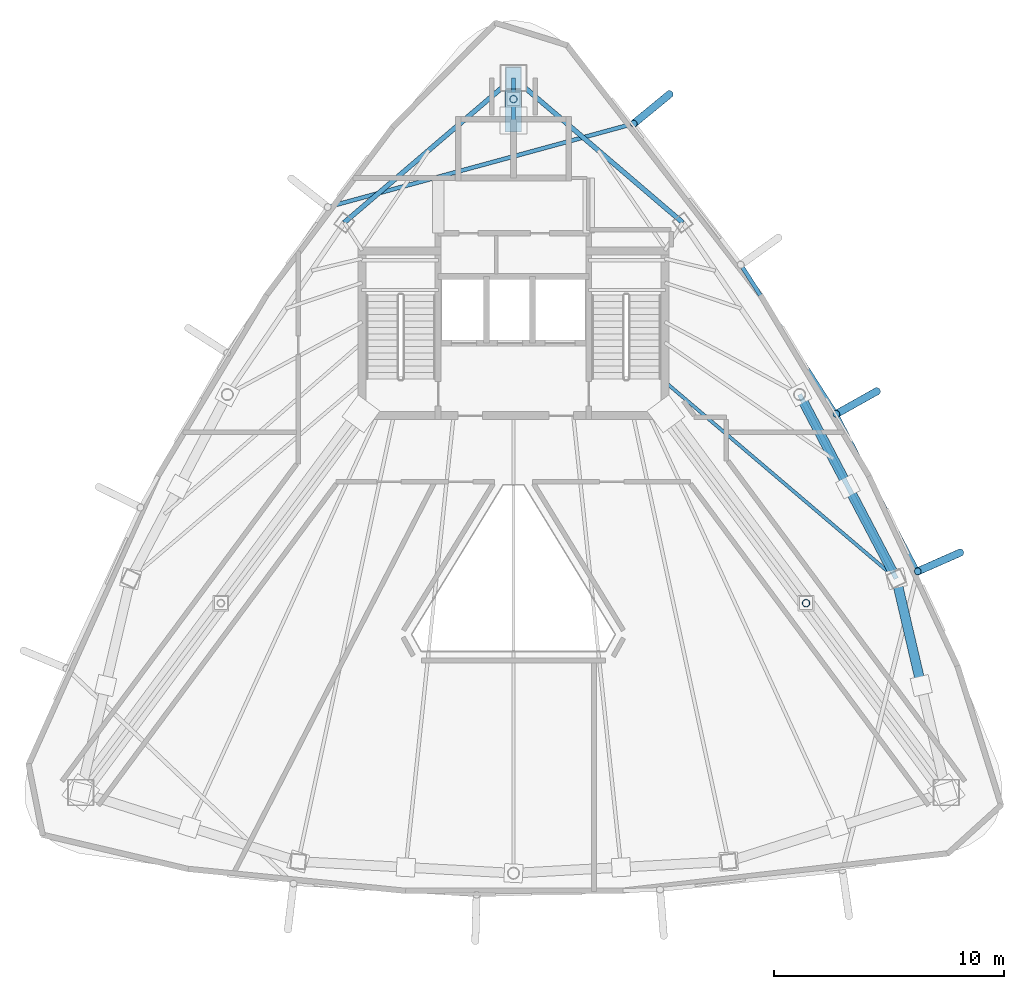
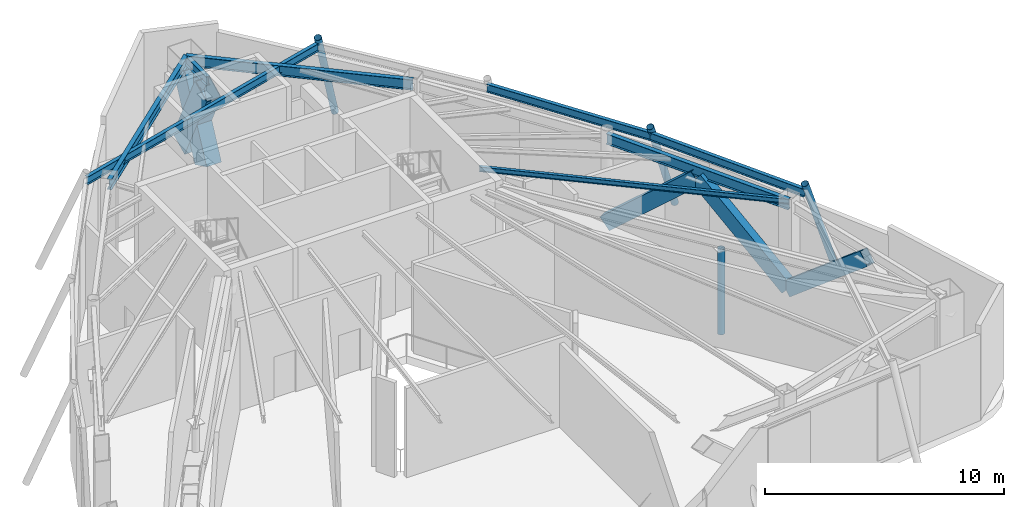
# One storey, part 4 of 9: 10 members, 8 beams.
"""IFC4 building model written with IfcOpenShell, lengths in metres."""

from ifc_helpers import new_model, si_unit, direction, frame, origin, origin_2d, place, context, subcontext, project, spatial, hollow_rectangle, hollow_circle, i_section, extrude, material, material_profile, profile_set, type_object, element, save


model = new_model("IFC4")

# Units and contexts
model_context = context("Model", 3, precision=1e-05, world=origin(), true_north=direction((0.0, 1.0)))
body_context = subcontext(model_context, "Body", "Model", "MODEL_VIEW")
ifc_project = project(units=[si_unit("LENGTHUNIT", "METRE"), si_unit("AREAUNIT", "SQUARE_METRE"), si_unit("VOLUMEUNIT", "CUBIC_METRE"), si_unit("PLANEANGLEUNIT", "RADIAN"), si_unit("MASSUNIT", "GRAM", prefix="KILO")], contexts=[model_context])

# Site, building, storey
site_placement = place(None, origin())
site = spatial("IfcSite", under=ifc_project, at=site_placement, CompositionType="ELEMENT")
building_placement = place(site_placement, origin())
building = spatial("IfcBuilding", under=site, at=building_placement, Name="Orvanel Arch Residences", CompositionType="ELEMENT")
storey_placement = place(building_placement, frame((0.0, 0.0, 281.0)))
storey = spatial("IfcBuildingStorey", under=building, at=storey_placement, Name="L80", CompositionType="ELEMENT", Elevation=281.0)

# Beams
ifc_material_1 = material(Name="Structural steel AS/NZS 3679.1 Grade 300 (300 MPa)", Category="steel")
ifc_material_profile_1 = material_profile(ifc_material_1, i_section(OverallWidth=0.19091796875, OverallDepth=0.4599609375, WebThickness=0.010009765625, FlangeThickness=0.01611328125, at=origin_2d()), Name="460UB82.1")
ifc_profile_set_1 = profile_set([ifc_material_profile_1], Name="Structural steel AS/NZS 3679.1 Grade 300 (300 MPa)")
beam_type_1 = type_object("IfcBeamType", Name="BG-460UB", PredefinedType="BEAM", material=ifc_profile_set_1)
beam_1_placement = place(storey_placement, frame((33.0, 39.550048828125, 4.6201171875), z_axis=(0.0, 1.0, 0.0), x_axis=(-1.0, 0.0, 0.0)))
element("IfcBeam", 1, at=beam_1_placement, inside=storey, type_object=beam_type_1, Name="L80 North Radial Girder", PredefinedType="BEAM", context=body_context, shape_type="SweptSolid", body=[
    extrude(i_section(OverallWidth=0.19091796875, OverallDepth=0.4599609375, WebThickness=0.010009765625, FlangeThickness=0.01611328125, at=origin_2d()), origin(), (0.0, 0.0, 1.0), 1.847900390625),
])
ifc_material_profile_2 = material_profile(ifc_material_1, i_section(OverallWidth=0.14599609375, OverallDepth=0.251953125, WebThickness=0.006103515625, FlangeThickness=0.008544921875, at=origin_2d()), Name="250UB31.4")
ifc_profile_set_2 = profile_set([ifc_material_profile_2], Name="Structural steel AS/NZS 3679.1 Grade 300 (300 MPa)")
beam_type_2 = type_object("IfcBeamType", Name="BJ-250UB", PredefinedType="JOIST", material=ifc_profile_set_2)
beam_2_placement = place(storey_placement, frame((39.574951171875, 28.199951171875, 4.72412109375), z_axis=(0.761622669031, -0.64802076357, 0.0), x_axis=(0.64802076357, 0.761622669031, 0.0)))
element("IfcBeam", 2, at=beam_2_placement, inside=storey, type_object=beam_type_2, Name="L80 E Wing Floor Joist", PredefinedType="JOIST", context=body_context, shape_type="SweptSolid", body=[
    extrude(i_section(OverallWidth=0.14599609375, OverallDepth=0.251953125, WebThickness=0.006103515625, FlangeThickness=0.008544921875, at=origin_2d()), origin(), (0.0, 0.0, 1.0), 13.2060546875),
])

# Members
ifc_material_2 = material(Name="Structural steel AS/NZS 3678 Grade 350", Category="steel")
ifc_material_profile_3 = material_profile(ifc_material_2, hollow_rectangle(XDim=0.419921875, YDim=0.719970703125, WallThickness=0.02490234375, at=origin_2d()), Name="RHS720x420x25")
ifc_profile_set_3 = profile_set([ifc_material_profile_3], Name="Structural steel AS/NZS 3678 Grade 350")
member_type_1 = type_object("IfcMemberType", Name="BR-720RHS", PredefinedType="BRACE", material=ifc_profile_set_3)
member_1_placement = place(storey_placement, frame((49.633056640625, 19.64208984375, 0.300048828125), z_axis=(0.174132680024, -0.746182065347, 0.642565276919), x_axis=(0.973834413485, 0.227258740454, 0.0)))
element("IfcMember", 3, at=member_1_placement, inside=storey, type_object=member_type_1, Name="L80 Belt-Truss Chevron 06.2", PredefinedType="BRACE", context=body_context, shape_type="SweptSolid", body=[
    extrude(hollow_rectangle(XDim=0.419921875, YDim=0.719970703125, WallThickness=0.02490234375, at=origin_2d()), origin(), (0.0, 0.0, 1.0), 6.22509765625),
])
member_2_placement = place(storey_placement, frame((49.633056640625, 19.64208984375, 0.300048828125), z_axis=(-0.348180256955, 0.662861414123, 0.662861414123), x_axis=(-0.885300033521, -0.465020269072, 0.0)))
element("IfcMember", 4, at=member_2_placement, inside=storey, type_object=member_type_1, Name="L80 Belt-Truss Chevron 07.1", PredefinedType="BRACE", context=body_context, shape_type="SweptSolid", body=[
    extrude(hollow_rectangle(XDim=0.419921875, YDim=0.719970703125, WallThickness=0.02490234375, at=origin_2d()), origin(), (0.0, 0.0, 1.0), 6.034423828125),
])
member_3_placement = place(storey_placement, frame((45.430908203125, 27.64111328125, 0.300048828125), z_axis=(0.348217608324, -0.662770674454, 0.662932523215), x_axis=(0.885253281653, 0.465109263853, 0.0)))
element("IfcMember", 5, at=member_3_placement, inside=storey, type_object=member_type_1, Name="L80 Belt-Truss Chevron 07.2", PredefinedType="BRACE", context=body_context, shape_type="SweptSolid", body=[
    extrude(hollow_rectangle(XDim=0.419921875, YDim=0.719970703125, WallThickness=0.02490234375, at=origin_2d()), origin(), (0.0, 0.0, 1.0), 6.03369140625),
])

# Beams
ifc_material_profile_4 = material_profile(ifc_material_1, i_section(OverallWidth=0.177978515625, OverallDepth=0.406005859375, WebThickness=0.0078125, FlangeThickness=0.0126953125, at=origin_2d()), Name="410UB59.7")
ifc_profile_set_4 = profile_set([ifc_material_profile_4], Name="Structural steel AS/NZS 3679.1 Grade 300 (300 MPa)")
beam_type_3 = type_object("IfcBeamType", Name="OB-410UB-EXT", PredefinedType="SPANDREL", material=ifc_profile_set_4)
beam_3_placement = place(storey_placement, frame((50.56396484375, 19.9580078125, 4.64697265625), z_axis=(-0.459425507077, 0.888216304425, 0.0), x_axis=(-0.888216304425, -0.459425507077, 0.0)))
element("IfcBeam", 6, at=beam_3_placement, inside=storey, type_object=beam_type_3, Name="L80 Outer Perimeter Floor Ring Beam 09", PredefinedType="SPANDREL", context=body_context, shape_type="SweptSolid", body=[
    extrude(i_section(OverallWidth=0.177978515625, OverallDepth=0.406005859375, WebThickness=0.0078125, FlangeThickness=0.0126953125, at=origin_2d()), origin(), (0.0, 0.0, 1.0), 7.698486328125),
])
beam_4_placement = place(storey_placement, frame((47.027099609375, 26.7958984375, 4.64697265625), z_axis=(-0.538901583392, 0.842368733642, 0.0), x_axis=(-0.842368733642, -0.538901583392, 0.0)))
element("IfcBeam", 7, at=beam_4_placement, inside=storey, type_object=beam_type_3, Name="L80 Outer Perimeter Floor Ring Beam 10", PredefinedType="SPANDREL", context=body_context, shape_type="SweptSolid", body=[
    extrude(i_section(OverallWidth=0.177978515625, OverallDepth=0.406005859375, WebThickness=0.0078125, FlangeThickness=0.0126953125, at=origin_2d()), origin(), (0.0, 0.0, 1.0), 7.697509765625),
])
beam_5_placement = place(storey_placement, frame((38.22412109375, 39.409912109375, 4.64697265625), z_axis=(-0.964794480335, -0.263004963291, 0.0), x_axis=(0.263004963291, -0.964794480335, 0.0)))
element("IfcBeam", 8, at=beam_5_placement, inside=storey, type_object=beam_type_3, Name="L80 Outer Perimeter Floor Ring Beam 12", PredefinedType="SPANDREL", context=body_context, shape_type="SweptSolid", body=[
    extrude(i_section(OverallWidth=0.177978515625, OverallDepth=0.406005859375, WebThickness=0.0078125, FlangeThickness=0.0126953125, at=origin_2d()), origin(), (0.0, 0.0, 1.0), 13.779296875),
])

# Members
ifc_material_profile_5 = material_profile(ifc_material_2, hollow_rectangle(XDim=0.719970703125, YDim=1.10009765625, WallThickness=0.035888671875, at=origin_2d()), Name="BOX1100x720x36")
ifc_profile_set_5 = profile_set([ifc_material_profile_5], Name="Structural steel AS/NZS 3678 Grade 350")
member_type_2 = type_object("IfcMemberType", Name="OR-1100BOX", PredefinedType="BRACE", material=ifc_profile_set_5)
for number, where, z_axis, x_axis, name in (
    (9, (33.0, 39.550048828125, 0.39990234375), (0.0, 0.437317975885, 0.899306948693), (-1.0, 0.0, 0.0), "L80 Core Outrigger Brace 1-1"),
    (10, (33.0, 39.550048828125, 4.199951171875), (0.0, 0.437317975885, -0.899306948693), (-1.0, 0.0, 0.0), "L80 Core Outrigger Brace 1-2"),
):
    element("IfcMember", number, at=place(storey_placement, frame(where, z_axis=z_axis, x_axis=x_axis)), inside=storey, type_object=member_type_2, Name=name, PredefinedType="BRACE", context=body_context, shape_type="SweptSolid", body=[
        extrude(hollow_rectangle(XDim=0.719970703125, YDim=1.10009765625, WallThickness=0.035888671875, at=origin_2d()), origin(), (0.0, 0.0, 1.0), 4.2255859375),
    ])

# Beams
ifc_material_profile_6 = material_profile(ifc_material_1, i_section(OverallWidth=0.208984375, OverallDepth=0.532958984375, WebThickness=0.01025390625, FlangeThickness=0.015625, at=origin_2d()), Name="530UB92.4")
ifc_profile_set_6 = profile_set([ifc_material_profile_6], Name="Structural steel AS/NZS 3679.1 Grade 300 (300 MPa)")
beam_type_4 = type_object("IfcBeamType", Name="SP-530UB", PredefinedType="SPANDREL", material=ifc_profile_set_6)
beam_6_placement = place(storey_placement, frame((49.633056640625, 19.64208984375, 4.583984375), z_axis=(-0.465064762793, 0.885276660942, 0.0), x_axis=(-0.885276660942, -0.465064762793, 0.0)))
element("IfcBeam", 11, at=beam_6_placement, inside=storey, type_object=beam_type_4, Name="L80 Perimeter Spandrel Beam 07", PredefinedType="SPANDREL", context=body_context, shape_type="SweptSolid", body=[
    extrude(i_section(OverallWidth=0.208984375, OverallDepth=0.532958984375, WebThickness=0.01025390625, FlangeThickness=0.015625, at=origin_2d()), origin(), (0.0, 0.0, 1.0), 9.03564453125),
])
for number, where, z_axis, x_axis, name in (
    (12, (40.35205078125, 35.113037109375, 4.583984375), (-0.760116518398, 0.649786794617, 0.0), (-0.649786794617, -0.760116518398, 0.0), "L80 Perimeter Spandrel Beam 09"),
    (13, (33.0, 41.39794921875, 4.583984375), (-0.760116518398, -0.649786794617, 0.0), (0.649786794617, -0.760116518398, 0.0), "L80 Perimeter Spandrel Beam 10"),
):
    element("IfcBeam", number, at=place(storey_placement, frame(where, z_axis=z_axis, x_axis=x_axis)), inside=storey, type_object=beam_type_4, Name=name, PredefinedType="SPANDREL", context=body_context, shape_type="SweptSolid", body=[
        extrude(i_section(OverallWidth=0.208984375, OverallDepth=0.532958984375, WebThickness=0.01025390625, FlangeThickness=0.015625, at=origin_2d()), origin(), (0.0, 0.0, 1.0), 9.67236328125),
    ])

# Members
ifc_material_3 = material(Name="Structural steel AS/NZS 1163 C350L0 (Grade 350)", Category="steel")
ifc_material_profile_7 = material_profile(ifc_material_3, hollow_circle(Radius=0.162109375, WallThickness=0.0126953125, at=origin_2d()), Name="CHS324x12.7")
ifc_profile_set_7 = profile_set([ifc_material_profile_7], Name="Structural steel AS/NZS 1163 C350L0 (Grade 350)")
member_type_3 = type_object("IfcMemberType", Name="ST-324CHS", PredefinedType="STRUT", material=ifc_profile_set_7)
for number, where, z_axis, x_axis, name in (
    (14, (33.0, 40.47412109375, 0.0), (0.0, 0.0, 1.0), (1.0, 0.0, 0.0), "L80 Outrigger Vertical Web Strut 1"),
    (15, (45.712890625, 18.575927734375, 0.0), (0.0, 0.0, 1.0), (1.0, 0.0, 0.0), "L80 Outrigger Vertical Web Strut 3"),
):
    element("IfcMember", number, at=place(storey_placement, frame(where, z_axis=z_axis, x_axis=x_axis)), inside=storey, type_object=member_type_3, Name=name, PredefinedType="STRUT", context=body_context, shape_type="SweptSolid", body=[
        extrude(hollow_circle(Radius=0.162109375, WallThickness=0.0126953125, at=origin_2d()), origin(), (0.0, 0.0, 1.0), 4.35009765625),
    ])
ifc_material_profile_8 = material_profile(ifc_material_3, hollow_circle(Radius=0.162109375, WallThickness=0.0126953125, at=origin_2d()), Name="CHS324x12.7")
ifc_profile_set_8 = profile_set([ifc_material_profile_8], Name="Structural steel AS/NZS 1163 C350L0 (Grade 350)")
member_type_4 = type_object("IfcMemberType", Name="ST-324CHS-EXT", PredefinedType="STRUT", material=ifc_profile_set_8)
for number, where, z_axis, x_axis, name in (
    (16, (52.412109375, 20.77392578125, 0.0), (-0.336905292035, -0.148736788109, 0.929716188985), (0.403872262748, -0.914815388689, 0.0), "L80 Outer Perimeter Frame Post 09"),
    (17, (48.7890625, 27.783935546875, 0.0), (-0.321198274249, -0.180114925299, 0.92972591784), (0.489107470718, -0.872223527594, 0.0), "L80 Outer Perimeter Frame Post 10"),
    (18, (39.784912109375, 40.69189453125, 0.0), (-0.284531097795, -0.233704488428, 0.929744194107), (0.63471106856, -0.772749545097, 0.0), "L80 Outer Perimeter Frame Post 12"),
):
    element("IfcMember", number, at=place(storey_placement, frame(where, z_axis=z_axis, x_axis=x_axis)), inside=storey, type_object=member_type_4, Name=name, PredefinedType="STRUT", context=body_context, shape_type="SweptSolid", body=[
        extrude(hollow_circle(Radius=0.162109375, WallThickness=0.0126953125, at=origin_2d()), origin(), (0.0, 0.0, 1.0), 5.485595703125),
    ])

save(model, "model.ifc")
